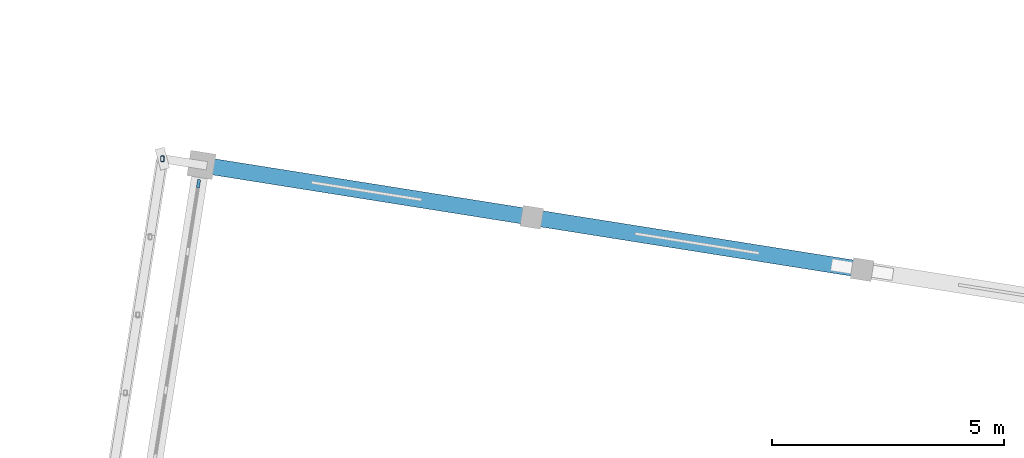
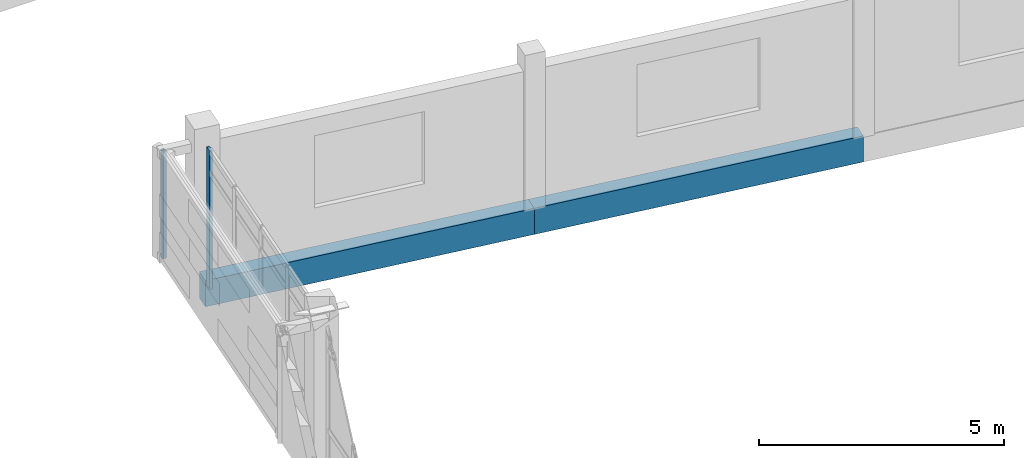
# One storey, part 56 of 117: 2 beams, 2 members, 1 element without a shape of its own.
"""IFC4 building model written with IfcOpenShell, lengths in metres."""

from ifc_helpers import new_model, si_unit, direction, frame, origin, origin_2d, place, context, subcontext, project, spatial, rectangle, hollow_rectangle, extrude, material, material_profile, profile_set, type_object, element, aggregate, save


model = new_model("IFC4")

# Units and contexts
model_context = context("Model", 3, precision=1e-05, world=origin(), true_north=direction((0.0, 1.0)))
body_context = subcontext(model_context, "Body", "Model", "MODEL_VIEW")
ifc_project = project(units=[si_unit("LENGTHUNIT", "METRE"), si_unit("AREAUNIT", "SQUARE_METRE"), si_unit("VOLUMEUNIT", "CUBIC_METRE"), si_unit("PLANEANGLEUNIT", "RADIAN"), si_unit("MASSUNIT", "GRAM", prefix="KILO")], contexts=[model_context])

# Site, building, storey
site_placement = place(None, origin())
site = spatial("IfcSite", under=ifc_project, at=site_placement, CompositionType="ELEMENT")
building_placement = place(site_placement, origin())
building = spatial("IfcBuilding", under=site, at=building_placement, Name="Cinderway Yard Community Centre", CompositionType="ELEMENT")
storey_placement = place(building_placement, frame((0.0, 0.0, 9.0)))
storey = spatial("IfcBuildingStorey", under=building, at=storey_placement, Name="L02", CompositionType="ELEMENT", Elevation=9.0)

# Curtain wall, member
ifc_material_1 = material(Name="Aluminium 6063-T6", Category="aluminium")
curtain_wall_type = type_object("IfcCurtainWallType", Name="ENV-CW-TYPE-17", PredefinedType="USERDEFINED", material=ifc_material_1)
curtain_wall_placement = place(storey_placement, origin())
curtain_wall = element("IfcCurtainWall", 1, at=curtain_wall_placement, inside=storey, type_object=curtain_wall_type, Name="Sports Hall Courtyard Curtain Wall ENV-CW-L02-HS-0065", ObjectType="GLAZED CURTAIN WALL", PredefinedType="USERDEFINED")
ifc_material_profile_1 = material_profile(ifc_material_1, rectangle(XDim=0.06494140625, YDim=0.179931640625, at=origin_2d()), Name="Aluminium 6063-T6")
ifc_profile_set_1 = profile_set([ifc_material_profile_1], Name="Aluminium 6063-T6")
member_type_1 = type_object("IfcMemberType", Name="ENV-CW-MULL-180", PredefinedType="MULLION", material=ifc_profile_set_1)
member_1_placement = place(storey_placement, frame((124.3193359375, 77.893310546875, 0.0), z_axis=(0.0, 0.0, 1.0), x_axis=(-0.987664799809, 0.156583023401, 0.0)))
member_1 = element("IfcMember", 2, at=member_1_placement, type_object=member_type_1, Name="CW-17 mullion 5", PredefinedType="MULLION", context=body_context, shape_type="SweptSolid", body=[
    extrude(rectangle(XDim=0.06494140625, YDim=0.179931640625, at=origin_2d()), origin(), (0.0, 0.0, 1.0), 3.449951171875),
])
aggregate(curtain_wall, [member_1])

# Member
ifc_material_2 = material(Name="Steel S355", Category="steel")
ifc_material_profile_2 = material_profile(ifc_material_2, hollow_rectangle(XDim=0.080078125, YDim=0.1201171875, WallThickness=0.00634765625, InnerFilletRadius=0.00634765625, OuterFilletRadius=0.0126953125, at=origin_2d()), Name="Steel S355")
ifc_profile_set_2 = profile_set([ifc_material_profile_2], Name="Steel S355")
member_type_2 = type_object("IfcMemberType", Name="ENV-MEM-SCREEN-RAIL-120", PredefinedType="STRINGER", material=ifc_profile_set_2)
member_2_placement = place(storey_placement, frame((123.54296875, 78.430908203125, 0.68994140625), z_axis=(0.0, 0.0, 1.0), x_axis=(1.0, 0.0, 0.0)))
element("IfcMember", 3, at=member_2_placement, inside=storey, type_object=member_type_2, Name="Screen vertical mullion 1081", PredefinedType="STRINGER", context=body_context, shape_type="SweptSolid", body=[
    extrude(hollow_rectangle(XDim=0.080078125, YDim=0.1201171875, WallThickness=0.00634765625, InnerFilletRadius=0.00634765625, OuterFilletRadius=0.0126953125, at=origin_2d()), origin(), (0.0, 0.0, 1.0), 2.670166015625),
])

# Beams
ifc_material_3 = material(Name="Concrete C35/45", Category="concrete")
ifc_material_profile_3 = material_profile(ifc_material_3, rectangle(XDim=0.35009765625, YDim=0.64990234375, at=origin_2d()), Name="Concrete C35/45")
ifc_profile_set_3 = profile_set([ifc_material_profile_3], Name="Concrete C35/45")
beam_type = type_object("IfcBeamType", Name="STR-BM-RC350X650", PredefinedType="BEAM", material=ifc_profile_set_3)
for number, where, z_axis, x_axis, name in (
    (4, (124.383056640625, 78.298095703125, -0.324951171875), (0.98766792578, -0.156563304722, 0.0), (0.156563304722, 0.98766792578, 0.0), "Sports Hall north ring beam STR-BM-L02-BG08-0428"),
    (5, (131.493896484375, 77.1708984375, -0.324951171875), (0.987694960149, -0.156392665095, 0.0), (0.156392665095, 0.987694960149, 0.0), "Sports Hall north ring beam STR-BM-L02-BG08-0429"),
):
    element("IfcBeam", number, at=place(storey_placement, frame(where, z_axis=z_axis, x_axis=x_axis)), inside=storey, type_object=beam_type, Name=name, PredefinedType="BEAM", context=body_context, shape_type="SweptSolid", body=[
        extrude(rectangle(XDim=0.35009765625, YDim=0.64990234375, at=origin_2d()), origin(), (0.0, 0.0, 1.0), 7.19970703125),
    ])

save(model, "model.ifc")
